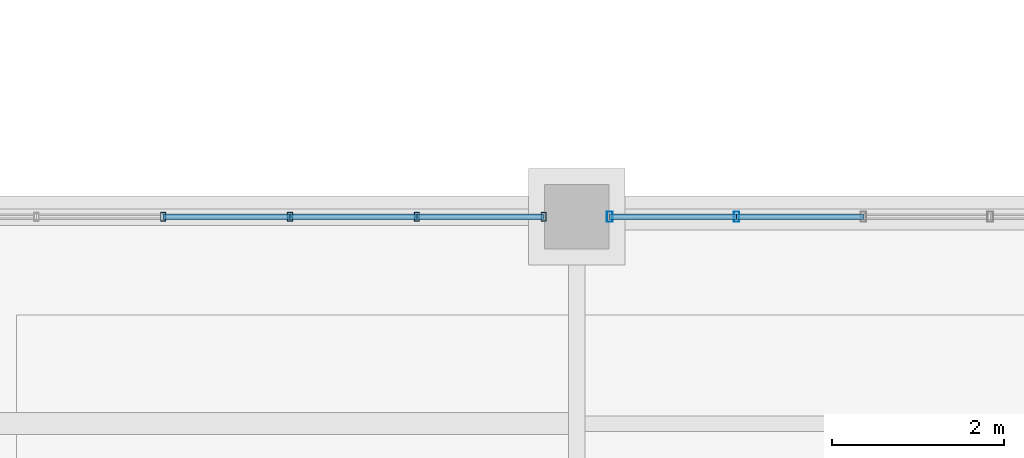
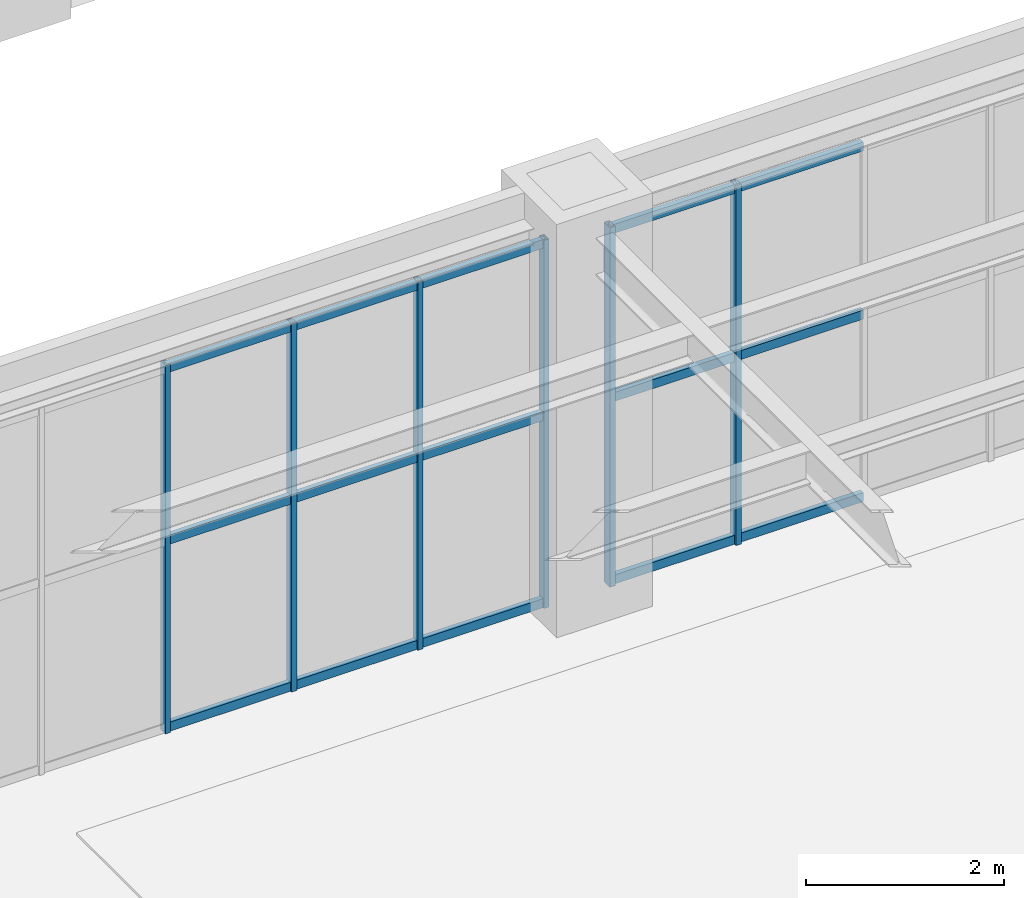
# One storey, part 22 of 174: 21 members, 2 elements without a shape of their own.
"""IFC4 building model written with IfcOpenShell, lengths in metres."""

from ifc_helpers import new_model, si_unit, direction, frame, origin, origin_2d, place, context, subcontext, project, spatial, hollow_rectangle, extrude, material, material_profile, profile_set, type_object, element, aggregate, save


model = new_model("IFC4")

# Units and contexts
model_context = context("Model", 3, precision=1e-05, world=origin(), true_north=direction((0.0, 1.0)))
body_context = subcontext(model_context, "Body", "Model", "MODEL_VIEW")
ifc_project = project(units=[si_unit("LENGTHUNIT", "METRE"), si_unit("AREAUNIT", "SQUARE_METRE"), si_unit("VOLUMEUNIT", "CUBIC_METRE"), si_unit("PLANEANGLEUNIT", "RADIAN"), si_unit("MASSUNIT", "GRAM", prefix="KILO")], contexts=[model_context])

# Site, building, storey
site_placement = place(None, origin())
site = spatial("IfcSite", under=ifc_project, at=site_placement, CompositionType="ELEMENT")
building_placement = place(site_placement, origin())
building = spatial("IfcBuilding", under=site, at=building_placement, Name="Mavantir Sound Aquarium", CompositionType="ELEMENT")
storey_placement = place(building_placement, frame((0.0, 0.0, 5.39990234375)))
storey = spatial("IfcBuildingStorey", under=building, at=storey_placement, Name="L01", CompositionType="ELEMENT", Elevation=5.39990234375)

# Curtain wall, members
ifc_material_1 = material(Name="Anodised Marine Aluminium and Low-E Glass", Category="aluminium")
curtain_wall_type_1 = type_object("IfcCurtainWallType", Name="CW-T23", PredefinedType="USERDEFINED", material=ifc_material_1)
curtain_wall_1_placement = place(storey_placement, origin())
curtain_wall_1 = element("IfcCurtainWall", 1, at=curtain_wall_1_placement, inside=storey, type_object=curtain_wall_type_1, Name="L01 unitised curtain wall CW-23 71", ObjectType="UNITISED GLAZING", PredefinedType="USERDEFINED")
ifc_material_2 = material(Name="Anodised Marine Aluminium 6063-T6", Category="aluminium")
ifc_material_profile_1 = material_profile(ifc_material_2, hollow_rectangle(XDim=0.06005859375, YDim=0.10009765625, WallThickness=0.00390625, at=origin_2d()), Name="ALU-MULLION-100X60")
ifc_profile_set_1 = profile_set([ifc_material_profile_1], Name="Anodised Marine Aluminium 6063-T6")
member_type_1 = type_object("IfcMemberType", Name="CW-MUL-100", PredefinedType="MULLION", material=ifc_profile_set_1)
member_1_placement = place(storey_placement, frame((28.4169921875, 28.800048828125, 0.0), z_axis=(0.0, 0.0, 1.0), x_axis=(1.0, 0.0, 0.0)))
member_1 = element("IfcMember", 2, at=member_1_placement, type_object=member_type_1, Name="CW-L01-071 vertical mullion 1", PredefinedType="MULLION", context=body_context, shape_type="SweptSolid", body=[
    extrude(hollow_rectangle(XDim=0.06005859375, YDim=0.10009765625, WallThickness=0.00390625, at=origin_2d()), origin(), (0.0, 0.0, 1.0), 4.543212890625),
])
member_2_placement = place(storey_placement, frame((26.944580078125, 28.800048828125, 0.0), z_axis=(0.0, 0.0, 1.0), x_axis=(1.0, 0.0, 0.0)))
member_2 = element("IfcMember", 3, at=member_2_placement, type_object=member_type_1, Name="CW-L01-071 vertical mullion 2", PredefinedType="MULLION", context=body_context, shape_type="SweptSolid", body=[
    extrude(hollow_rectangle(XDim=0.06005859375, YDim=0.10009765625, WallThickness=0.00390625, at=origin_2d()), origin(), (0.0, 0.0, 1.0), 4.543212890625),
])
member_3_placement = place(storey_placement, frame((25.472412109375, 28.800048828125, 0.0), z_axis=(0.0, 0.0, 1.0), x_axis=(1.0, 0.0, 0.0)))
member_3 = element("IfcMember", 4, at=member_3_placement, type_object=member_type_1, Name="CW-L01-071 vertical mullion 3", PredefinedType="MULLION", context=body_context, shape_type="SweptSolid", body=[
    extrude(hollow_rectangle(XDim=0.06005859375, YDim=0.10009765625, WallThickness=0.00390625, at=origin_2d()), origin(), (0.0, 0.0, 1.0), 4.543212890625),
])
member_4_placement = place(storey_placement, frame((24.0, 28.800048828125, 0.0), z_axis=(0.0, 0.0, 1.0), x_axis=(1.0, 0.0, 0.0)))
member_4 = element("IfcMember", 5, at=member_4_placement, type_object=member_type_1, Name="CW-L01-071 vertical mullion 4", PredefinedType="MULLION", context=body_context, shape_type="SweptSolid", body=[
    extrude(hollow_rectangle(XDim=0.06005859375, YDim=0.10009765625, WallThickness=0.00390625, at=origin_2d()), origin(), (0.0, 0.0, 1.0), 4.543212890625),
])

curtain_wall_type_2 = type_object("IfcCurtainWallType", Name="CW-T22", PredefinedType="USERDEFINED", material=ifc_material_1)
curtain_wall_2_placement = place(storey_placement, origin())
curtain_wall_2 = element("IfcCurtainWall", 6, at=curtain_wall_2_placement, inside=storey, type_object=curtain_wall_type_2, Name="L01 unitised curtain wall CW-22 70", ObjectType="UNITISED GLAZING", PredefinedType="USERDEFINED")
ifc_material_profile_2 = material_profile(ifc_material_2, hollow_rectangle(XDim=0.06494140625, YDim=0.1201171875, WallThickness=0.00390625, at=origin_2d()), Name="ALU-MULLION-120X65")
ifc_profile_set_2 = profile_set([ifc_material_profile_2], Name="Anodised Marine Aluminium 6063-T6")
member_type_2 = type_object("IfcMemberType", Name="CW-MUL-120", PredefinedType="MULLION", material=ifc_profile_set_2)
member_5_placement = place(storey_placement, frame((30.6552734375, 28.800048828125, 0.0), z_axis=(0.0, 0.0, 1.0), x_axis=(1.0, 0.0, 0.0)))
member_5 = element("IfcMember", 7, at=member_5_placement, type_object=member_type_2, Name="CW-L01-070 vertical mullion 6", PredefinedType="MULLION", context=body_context, shape_type="SweptSolid", body=[
    extrude(hollow_rectangle(XDim=0.06494140625, YDim=0.1201171875, WallThickness=0.00390625, at=origin_2d()), origin(), (0.0, 0.0, 1.0), 4.43798828125),
])
member_6_placement = place(storey_placement, frame((29.18310546875, 28.800048828125, 0.0), z_axis=(0.0, 0.0, 1.0), x_axis=(1.0, 0.0, 0.0)))
member_6 = element("IfcMember", 8, at=member_6_placement, type_object=member_type_2, Name="CW-L01-070 vertical mullion 7", PredefinedType="MULLION", context=body_context, shape_type="SweptSolid", body=[
    extrude(hollow_rectangle(XDim=0.06494140625, YDim=0.1201171875, WallThickness=0.00390625, at=origin_2d()), origin(), (0.0, 0.0, 1.0), 4.43798828125),
])
ifc_material_profile_3 = material_profile(ifc_material_2, hollow_rectangle(XDim=0.06005859375, YDim=0.110107421875, WallThickness=0.00390625, at=origin_2d()), Name="ALU-TRANSOM-110X60")
ifc_profile_set_3 = profile_set([ifc_material_profile_3], Name="Anodised Marine Aluminium 6063-T6")
member_type_3 = type_object("IfcMemberType", Name="CW-TRN-110", PredefinedType="USERDEFINED", material=ifc_profile_set_3)
member_7_placement = place(storey_placement, frame((32.127685546875, 28.800048828125, 0.05517578125), z_axis=(-1.0, 0.0, 0.0), x_axis=(0.0, -1.0, 0.0)))
member_7 = element("IfcMember", 9, at=member_7_placement, type_object=member_type_3, Name="CW-L01-070 transom 5.1", ObjectType="TRANSOM", PredefinedType="USERDEFINED", context=body_context, shape_type="SweptSolid", body=[
    extrude(hollow_rectangle(XDim=0.06005859375, YDim=0.110107421875, WallThickness=0.00390625, at=origin_2d()), origin(), (0.0, 0.0, 1.0), 1.472412109375),
])
member_8_placement = place(storey_placement, frame((32.127685546875, 28.800048828125, 2.307861328125), z_axis=(-1.0, 0.0, 0.0), x_axis=(0.0, -1.0, 0.0)))
member_8 = element("IfcMember", 10, at=member_8_placement, type_object=member_type_3, Name="CW-L01-070 transom 5.2", ObjectType="TRANSOM", PredefinedType="USERDEFINED", context=body_context, shape_type="SweptSolid", body=[
    extrude(hollow_rectangle(XDim=0.06005859375, YDim=0.110107421875, WallThickness=0.00390625, at=origin_2d()), origin(), (0.0, 0.0, 1.0), 1.472412109375),
])
member_9_placement = place(storey_placement, frame((32.127685546875, 28.800048828125, 4.383056640625), z_axis=(-1.0, 0.0, 0.0), x_axis=(0.0, -1.0, 0.0)))
member_9 = element("IfcMember", 11, at=member_9_placement, type_object=member_type_3, Name="CW-L01-070 transom 5.3", ObjectType="TRANSOM", PredefinedType="USERDEFINED", context=body_context, shape_type="SweptSolid", body=[
    extrude(hollow_rectangle(XDim=0.06005859375, YDim=0.110107421875, WallThickness=0.00390625, at=origin_2d()), origin(), (0.0, 0.0, 1.0), 1.472412109375),
])
member_10_placement = place(storey_placement, frame((30.6552734375, 28.800048828125, 0.05517578125), z_axis=(-1.0, 0.0, 0.0), x_axis=(0.0, -1.0, 0.0)))
member_10 = element("IfcMember", 12, at=member_10_placement, type_object=member_type_3, Name="CW-L01-070 transom 6.1", ObjectType="TRANSOM", PredefinedType="USERDEFINED", context=body_context, shape_type="SweptSolid", body=[
    extrude(hollow_rectangle(XDim=0.06005859375, YDim=0.110107421875, WallThickness=0.00390625, at=origin_2d()), origin(), (0.0, 0.0, 1.0), 1.47216796875),
])
member_11_placement = place(storey_placement, frame((30.6552734375, 28.800048828125, 2.307861328125), z_axis=(-1.0, 0.0, 0.0), x_axis=(0.0, -1.0, 0.0)))
member_11 = element("IfcMember", 13, at=member_11_placement, type_object=member_type_3, Name="CW-L01-070 transom 6.2", ObjectType="TRANSOM", PredefinedType="USERDEFINED", context=body_context, shape_type="SweptSolid", body=[
    extrude(hollow_rectangle(XDim=0.06005859375, YDim=0.110107421875, WallThickness=0.00390625, at=origin_2d()), origin(), (0.0, 0.0, 1.0), 1.47216796875),
])
member_12_placement = place(storey_placement, frame((30.6552734375, 28.800048828125, 4.383056640625), z_axis=(-1.0, 0.0, 0.0), x_axis=(0.0, -1.0, 0.0)))
member_12 = element("IfcMember", 14, at=member_12_placement, type_object=member_type_3, Name="CW-L01-070 transom 6.3", ObjectType="TRANSOM", PredefinedType="USERDEFINED", context=body_context, shape_type="SweptSolid", body=[
    extrude(hollow_rectangle(XDim=0.06005859375, YDim=0.110107421875, WallThickness=0.00390625, at=origin_2d()), origin(), (0.0, 0.0, 1.0), 1.47216796875),
])
aggregate(curtain_wall_2, [member_5, member_6, member_7, member_8, member_9, member_10, member_11, member_12])

# Member
member_13_placement = place(storey_placement, frame((28.4169921875, 28.800048828125, 0.05517578125), z_axis=(-1.0, 0.0, 0.0), x_axis=(0.0, -1.0, 0.0)))
member_13 = element("IfcMember", 15, at=member_13_placement, type_object=member_type_3, Name="CW-L01-071 transom 1.1", ObjectType="TRANSOM", PredefinedType="USERDEFINED", context=body_context, shape_type="SweptSolid", body=[
    extrude(hollow_rectangle(XDim=0.06005859375, YDim=0.110107421875, WallThickness=0.00390625, at=origin_2d()), origin(), (0.0, 0.0, 1.0), 1.472412109375),
])

member_14_placement = place(storey_placement, frame((28.4169921875, 28.800048828125, 2.362548828125), z_axis=(-1.0, 0.0, 0.0), x_axis=(0.0, -1.0, 0.0)))
member_14 = element("IfcMember", 16, at=member_14_placement, type_object=member_type_3, Name="CW-L01-071 transom 1.2", ObjectType="TRANSOM", PredefinedType="USERDEFINED", context=body_context, shape_type="SweptSolid", body=[
    extrude(hollow_rectangle(XDim=0.06005859375, YDim=0.110107421875, WallThickness=0.00390625, at=origin_2d()), origin(), (0.0, 0.0, 1.0), 1.472412109375),
])

member_15_placement = place(storey_placement, frame((28.4169921875, 28.800048828125, 4.488037109375), z_axis=(-1.0, 0.0, 0.0), x_axis=(0.0, -1.0, 0.0)))
member_15 = element("IfcMember", 17, at=member_15_placement, type_object=member_type_3, Name="CW-L01-071 transom 1.3", ObjectType="TRANSOM", PredefinedType="USERDEFINED", context=body_context, shape_type="SweptSolid", body=[
    extrude(hollow_rectangle(XDim=0.06005859375, YDim=0.110107421875, WallThickness=0.00390625, at=origin_2d()), origin(), (0.0, 0.0, 1.0), 1.472412109375),
])

member_16_placement = place(storey_placement, frame((26.944580078125, 28.800048828125, 0.05517578125), z_axis=(-1.0, 0.0, 0.0), x_axis=(0.0, -1.0, 0.0)))
member_16 = element("IfcMember", 18, at=member_16_placement, type_object=member_type_3, Name="CW-L01-071 transom 2.1", ObjectType="TRANSOM", PredefinedType="USERDEFINED", context=body_context, shape_type="SweptSolid", body=[
    extrude(hollow_rectangle(XDim=0.06005859375, YDim=0.110107421875, WallThickness=0.00390625, at=origin_2d()), origin(), (0.0, 0.0, 1.0), 1.47216796875),
])

member_17_placement = place(storey_placement, frame((26.944580078125, 28.800048828125, 2.362548828125), z_axis=(-1.0, 0.0, 0.0), x_axis=(0.0, -1.0, 0.0)))
member_17 = element("IfcMember", 19, at=member_17_placement, type_object=member_type_3, Name="CW-L01-071 transom 2.2", ObjectType="TRANSOM", PredefinedType="USERDEFINED", context=body_context, shape_type="SweptSolid", body=[
    extrude(hollow_rectangle(XDim=0.06005859375, YDim=0.110107421875, WallThickness=0.00390625, at=origin_2d()), origin(), (0.0, 0.0, 1.0), 1.47216796875),
])

member_18_placement = place(storey_placement, frame((26.944580078125, 28.800048828125, 4.488037109375), z_axis=(-1.0, 0.0, 0.0), x_axis=(0.0, -1.0, 0.0)))
member_18 = element("IfcMember", 20, at=member_18_placement, type_object=member_type_3, Name="CW-L01-071 transom 2.3", ObjectType="TRANSOM", PredefinedType="USERDEFINED", context=body_context, shape_type="SweptSolid", body=[
    extrude(hollow_rectangle(XDim=0.06005859375, YDim=0.110107421875, WallThickness=0.00390625, at=origin_2d()), origin(), (0.0, 0.0, 1.0), 1.47216796875),
])

member_19_placement = place(storey_placement, frame((25.472412109375, 28.800048828125, 0.05517578125), z_axis=(-1.0, 0.0, 0.0), x_axis=(0.0, -1.0, 0.0)))
member_19 = element("IfcMember", 21, at=member_19_placement, type_object=member_type_3, Name="CW-L01-071 transom 3.1", ObjectType="TRANSOM", PredefinedType="USERDEFINED", context=body_context, shape_type="SweptSolid", body=[
    extrude(hollow_rectangle(XDim=0.06005859375, YDim=0.110107421875, WallThickness=0.00390625, at=origin_2d()), origin(), (0.0, 0.0, 1.0), 1.472412109375),
])

member_20_placement = place(storey_placement, frame((25.472412109375, 28.800048828125, 2.362548828125), z_axis=(-1.0, 0.0, 0.0), x_axis=(0.0, -1.0, 0.0)))
member_20 = element("IfcMember", 22, at=member_20_placement, type_object=member_type_3, Name="CW-L01-071 transom 3.2", ObjectType="TRANSOM", PredefinedType="USERDEFINED", context=body_context, shape_type="SweptSolid", body=[
    extrude(hollow_rectangle(XDim=0.06005859375, YDim=0.110107421875, WallThickness=0.00390625, at=origin_2d()), origin(), (0.0, 0.0, 1.0), 1.472412109375),
])

member_21_placement = place(storey_placement, frame((25.472412109375, 28.800048828125, 4.488037109375), z_axis=(-1.0, 0.0, 0.0), x_axis=(0.0, -1.0, 0.0)))
member_21 = element("IfcMember", 23, at=member_21_placement, type_object=member_type_3, Name="CW-L01-071 transom 3.3", ObjectType="TRANSOM", PredefinedType="USERDEFINED", context=body_context, shape_type="SweptSolid", body=[
    extrude(hollow_rectangle(XDim=0.06005859375, YDim=0.110107421875, WallThickness=0.00390625, at=origin_2d()), origin(), (0.0, 0.0, 1.0), 1.472412109375),
])

aggregate(curtain_wall_1, [member_1, member_2, member_3, member_4, member_13, member_14, member_15, member_16, member_17, member_18, member_19, member_20, member_21])

save(model, "model.ifc")
